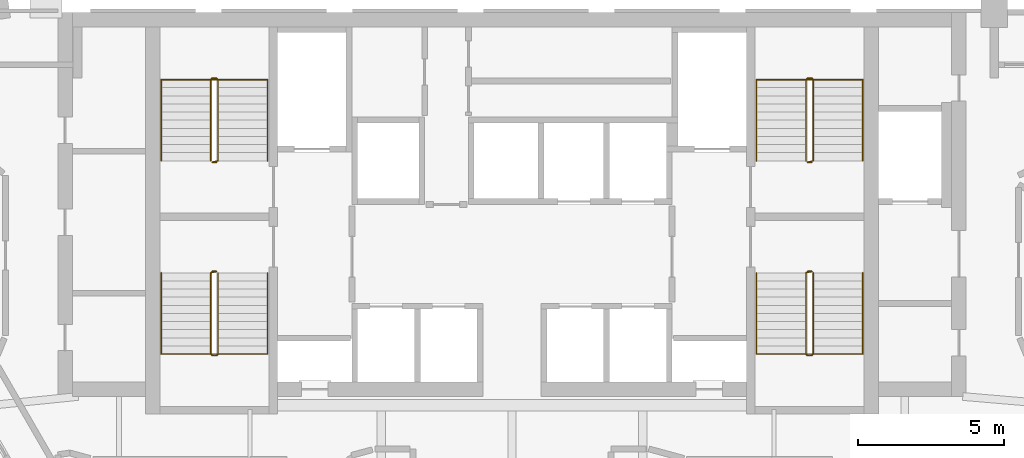
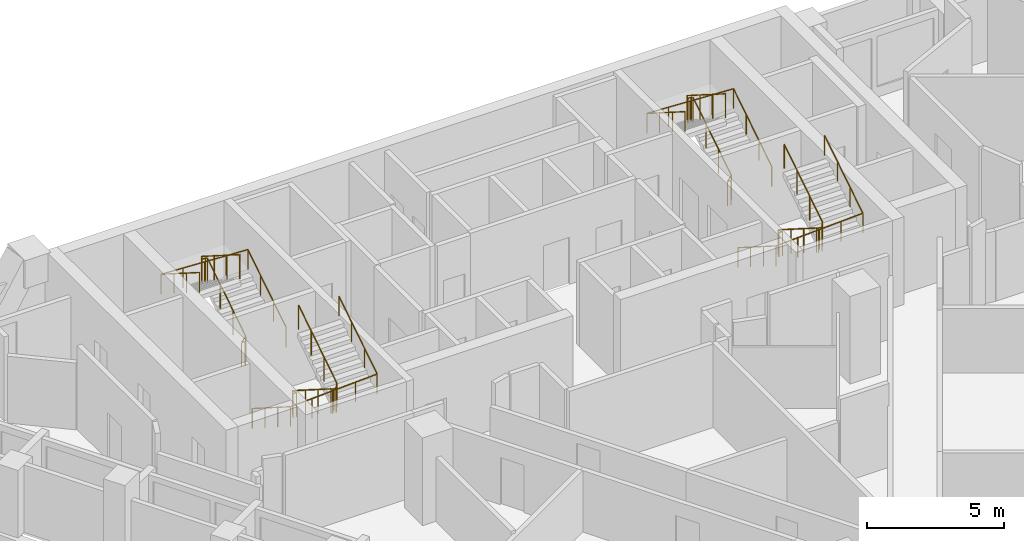
# One storey, part 10 of 10: 8 railings.
"""IFC4 building model written with IfcOpenShell, lengths in metres."""

from ifc_helpers import new_model, si_unit, direction, frame, origin, origin_2d, place, context, subcontext, project, spatial, circle, extrude, material, type_object, element, save


model = new_model("IFC4")

# Units and contexts
model_context = context("Model", 3, precision=1e-05, world=origin(), true_north=direction((0.0, 1.0)))
body_context = subcontext(model_context, "Body", "Model", "MODEL_VIEW")
ifc_project = project(units=[si_unit("LENGTHUNIT", "METRE"), si_unit("AREAUNIT", "SQUARE_METRE"), si_unit("VOLUMEUNIT", "CUBIC_METRE"), si_unit("PLANEANGLEUNIT", "RADIAN"), si_unit("MASSUNIT", "GRAM", prefix="KILO")], contexts=[model_context])

# Site, building, storey
site_placement = place(None, origin())
site = spatial("IfcSite", under=ifc_project, at=site_placement, CompositionType="ELEMENT")
building_placement = place(site_placement, origin())
building = spatial("IfcBuilding", under=site, at=building_placement, Name="Calabash Gate Tower", CompositionType="ELEMENT")
storey_placement = place(building_placement, frame((0.0, 0.0, 187.5)))
storey = spatial("IfcBuildingStorey", under=building, at=storey_placement, Name="L44", CompositionType="ELEMENT", Elevation=187.5)

# Railings
ifc_material_1 = material(Name="Black powder-coated steel balusters", Category="steel")
railing_type_1 = type_object("IfcRailingType", Name="Stair guard RL1100", PredefinedType="GUARDRAIL", material=ifc_material_1)
railing_1_placement = place(storey_placement, frame((-10.14990234375, 13.902587890625, 0.0)))
element("IfcRailing", 1, at=railing_1_placement, inside=storey, type_object=railing_type_1, Name="L44 ST1 stair guard 1", PredefinedType="GUARDRAIL", context=body_context, shape_type="SweptSolid", body=[
    extrude(circle(Radius=0.02392578125, at=origin_2d()), frame((0.0, 0.0, 1.076171875), z_axis=(-1.0, 0.0, 0.0), x_axis=(0.0, -1.0, 0.0)), (0.0, 0.0, 1.0), 0.150146484375),
    extrude(circle(Radius=0.02392578125, at=origin_2d()), frame((-0.150146484375, 0.0, 1.076171875), z_axis=(0.735524641326, 0.184105679453, 0.652003528208), x_axis=(-0.242814311512, 0.970072785993, 0.0)), (0.0, 0.0, 1.0), 0.271728515625),
    extrude(circle(Radius=0.02392578125, at=origin_2d()), frame((0.0498046875, 0.050048828125, 1.25341796875), z_axis=(0.0, 0.844041424197, 0.536277982245), x_axis=(-1.0, 0.0, 0.0)), (0.0, 0.0, 1.0), 3.3056640625),
    extrude(circle(Radius=0.02392578125, at=origin_2d()), frame((0.0498046875, 2.840087890625, 3.02587890625), z_axis=(-0.707106781187, 0.707106781187, 0.0), x_axis=(-0.707106781187, -0.707106781187, 0.0)), (0.0, 0.0, 1.0), 0.0703125),
    extrude(circle(Radius=0.02392578125, at=origin_2d()), frame((0.0, 2.889892578125, 3.02587890625), z_axis=(-1.0, 0.0, 0.0), x_axis=(0.0, -1.0, 0.0)), (0.0, 0.0, 1.0), 0.150146484375),
    extrude(circle(Radius=0.02392578125, at=origin_2d()), frame((-0.150146484375, 2.889892578125, 3.02587890625), z_axis=(-0.262321481514, -0.261041864531, 0.929001929653), x_axis=(0.705375805398, -0.708833529934, 0.0)), (0.0, 0.0, 1.0), 0.190673828125),
    extrude(circle(Radius=0.02392578125, at=origin_2d()), frame((-0.2001953125, 2.840087890625, 3.203125), z_axis=(0.0, -0.844041424197, 0.536277982245), x_axis=(1.0, 0.0, 0.0)), (0.0, 0.0, 1.0), 3.3056640625),
    extrude(circle(Radius=0.02099609375, at=origin_2d()), origin(), (0.0, 0.0, 1.0), 1.052001953125),
    extrude(circle(Radius=0.02099609375, at=origin_2d()), frame((-0.150146484375, 0.0, 0.0)), (0.0, 0.0, 1.0), 1.052001953125),
    extrude(circle(Radius=0.02099609375, at=origin_2d()), frame((0.0498046875, 0.050048828125, 0.17724609375)), (0.0, 0.0, 1.0), 1.052001953125),
    extrude(circle(Radius=0.02099609375, at=origin_2d()), frame((0.0498046875, 0.97998046875, 0.76806640625)), (0.0, 0.0, 1.0), 1.052001953125),
    extrude(circle(Radius=0.02099609375, at=origin_2d()), frame((0.0498046875, 1.91015625, 1.359130859375)), (0.0, 0.0, 1.0), 1.052001953125),
    extrude(circle(Radius=0.02099609375, at=origin_2d()), frame((0.0498046875, 2.840087890625, 1.949951171875)), (0.0, 0.0, 1.0), 1.052001953125),
    extrude(circle(Radius=0.02099609375, at=origin_2d()), frame((0.0, 2.889892578125, 1.949951171875)), (0.0, 0.0, 1.0), 1.052001953125),
    extrude(circle(Radius=0.02099609375, at=origin_2d()), frame((-0.150146484375, 2.889892578125, 1.949951171875)), (0.0, 0.0, 1.0), 1.052001953125),
    extrude(circle(Radius=0.02099609375, at=origin_2d()), frame((-0.2001953125, 2.840087890625, 2.127197265625)), (0.0, 0.0, 1.0), 1.052001953125),
    extrude(circle(Radius=0.02099609375, at=origin_2d()), frame((-0.2001953125, 1.91015625, 2.718017578125)), (0.0, 0.0, 1.0), 1.052001953125),
    extrude(circle(Radius=0.02099609375, at=origin_2d()), frame((-0.2001953125, 0.97998046875, 3.30908203125)), (0.0, 0.0, 1.0), 1.052001953125),
    extrude(circle(Radius=0.02099609375, at=origin_2d()), frame((-0.2001953125, 0.050048828125, 3.89990234375)), (0.0, 0.0, 1.0), 1.052001953125),
])
railing_2_placement = place(storey_placement, frame((-10.300048828125, 10.152587890625, 0.0)))
element("IfcRailing", 2, at=railing_2_placement, inside=storey, type_object=railing_type_1, Name="L44 ST2 stair guard 1", PredefinedType="GUARDRAIL", context=body_context, shape_type="SweptSolid", body=[
    extrude(circle(Radius=0.02392578125, at=origin_2d()), frame((0.0, 0.0, 1.076171875), z_axis=(1.0, 0.0, 0.0), x_axis=(0.0, 1.0, 0.0)), (0.0, 0.0, 1.0), 0.150146484375),
    extrude(circle(Radius=0.02392578125, at=origin_2d()), frame((0.150146484375, 0.0, 1.076171875), z_axis=(-0.735936453418, -0.183984113355, 0.651573006319), x_axis=(0.242535625036, -0.970142500145, 0.0)), (0.0, 0.0, 1.0), 0.27197265625),
    extrude(circle(Radius=0.02392578125, at=origin_2d()), frame((-0.050048828125, -0.050048828125, 1.25341796875), z_axis=(0.0, -0.844041424197, 0.536277982245), x_axis=(1.0, 0.0, 0.0)), (0.0, 0.0, 1.0), 3.3056640625),
    extrude(circle(Radius=0.02392578125, at=origin_2d()), frame((-0.050048828125, -2.840087890625, 3.02587890625), z_axis=(0.708833529934, -0.705375805398, 0.0), x_axis=(0.705375805398, 0.708833529934, 0.0)), (0.0, 0.0, 1.0), 0.070556640625),
    extrude(circle(Radius=0.02392578125, at=origin_2d()), frame((0.0, -2.889892578125, 3.02587890625), z_axis=(1.0, 0.0, 0.0), x_axis=(0.0, 1.0, 0.0)), (0.0, 0.0, 1.0), 0.150146484375),
    extrude(circle(Radius=0.02392578125, at=origin_2d()), frame((0.150146484375, -2.889892578125, 3.02587890625), z_axis=(0.261129318932, 0.261129318932, 0.929313164433), x_axis=(-0.707106781187, 0.707106781187, 0.0)), (0.0, 0.0, 1.0), 0.190673828125),
    extrude(circle(Radius=0.02392578125, at=origin_2d()), frame((0.199951171875, -2.840087890625, 3.203125), z_axis=(0.0, 0.844041424197, 0.536277982245), x_axis=(-1.0, 0.0, 0.0)), (0.0, 0.0, 1.0), 3.3056640625),
    extrude(circle(Radius=0.02099609375, at=origin_2d()), origin(), (0.0, 0.0, 1.0), 1.052001953125),
    extrude(circle(Radius=0.02099609375, at=origin_2d()), frame((0.150146484375, 0.0, 0.0)), (0.0, 0.0, 1.0), 1.052001953125),
    extrude(circle(Radius=0.02099609375, at=origin_2d()), frame((-0.050048828125, -0.050048828125, 0.17724609375)), (0.0, 0.0, 1.0), 1.052001953125),
    extrude(circle(Radius=0.02099609375, at=origin_2d()), frame((-0.050048828125, -0.97998046875, 0.76806640625)), (0.0, 0.0, 1.0), 1.052001953125),
    extrude(circle(Radius=0.02099609375, at=origin_2d()), frame((-0.050048828125, -1.91015625, 1.359130859375)), (0.0, 0.0, 1.0), 1.052001953125),
    extrude(circle(Radius=0.02099609375, at=origin_2d()), frame((-0.050048828125, -2.840087890625, 1.949951171875)), (0.0, 0.0, 1.0), 1.052001953125),
    extrude(circle(Radius=0.02099609375, at=origin_2d()), frame((0.0, -2.889892578125, 1.949951171875)), (0.0, 0.0, 1.0), 1.052001953125),
    extrude(circle(Radius=0.02099609375, at=origin_2d()), frame((0.150146484375, -2.889892578125, 1.949951171875)), (0.0, 0.0, 1.0), 1.052001953125),
    extrude(circle(Radius=0.02099609375, at=origin_2d()), frame((0.199951171875, -2.840087890625, 2.127197265625)), (0.0, 0.0, 1.0), 1.052001953125),
    extrude(circle(Radius=0.02099609375, at=origin_2d()), frame((0.199951171875, -1.91015625, 2.718017578125)), (0.0, 0.0, 1.0), 1.052001953125),
    extrude(circle(Radius=0.02099609375, at=origin_2d()), frame((0.199951171875, -0.97998046875, 3.30908203125)), (0.0, 0.0, 1.0), 1.052001953125),
    extrude(circle(Radius=0.02099609375, at=origin_2d()), frame((0.199951171875, -0.050048828125, 3.89990234375)), (0.0, 0.0, 1.0), 1.052001953125),
])
railing_3_placement = place(storey_placement, frame((10.300048828125, 13.902587890625, 0.0)))
element("IfcRailing", 3, at=railing_3_placement, inside=storey, type_object=railing_type_1, Name="L44 ST3 stair guard 1", PredefinedType="GUARDRAIL", context=body_context, shape_type="SweptSolid", body=[
    extrude(circle(Radius=0.02392578125, at=origin_2d()), frame((0.0, 0.0, 1.076171875), z_axis=(-1.0, 0.0, 0.0), x_axis=(0.0, -1.0, 0.0)), (0.0, 0.0, 1.0), 0.150146484375),
    extrude(circle(Radius=0.02392578125, at=origin_2d()), frame((-0.150146484375, 0.0, 1.076171875), z_axis=(0.735936453418, 0.183984113355, 0.651573006319), x_axis=(-0.242535625036, 0.970142500145, 0.0)), (0.0, 0.0, 1.0), 0.27197265625),
    extrude(circle(Radius=0.02392578125, at=origin_2d()), frame((0.050048828125, 0.050048828125, 1.25341796875), z_axis=(0.0, 0.844041424197, 0.536277982245), x_axis=(-1.0, 0.0, 0.0)), (0.0, 0.0, 1.0), 3.3056640625),
    extrude(circle(Radius=0.02392578125, at=origin_2d()), frame((0.050048828125, 2.840087890625, 3.02587890625), z_axis=(-0.708833529934, 0.705375805398, 0.0), x_axis=(-0.705375805398, -0.708833529934, 0.0)), (0.0, 0.0, 1.0), 0.070556640625),
    extrude(circle(Radius=0.02392578125, at=origin_2d()), frame((0.0, 2.889892578125, 3.02587890625), z_axis=(-1.0, 0.0, 0.0), x_axis=(0.0, -1.0, 0.0)), (0.0, 0.0, 1.0), 0.150146484375),
    extrude(circle(Radius=0.02392578125, at=origin_2d()), frame((-0.150146484375, 2.889892578125, 3.02587890625), z_axis=(-0.261129318932, -0.261129318932, 0.929313164433), x_axis=(0.707106781187, -0.707106781187, 0.0)), (0.0, 0.0, 1.0), 0.190673828125),
    extrude(circle(Radius=0.02392578125, at=origin_2d()), frame((-0.199951171875, 2.840087890625, 3.203125), z_axis=(0.0, -0.844041424197, 0.536277982245), x_axis=(1.0, 0.0, 0.0)), (0.0, 0.0, 1.0), 3.3056640625),
    extrude(circle(Radius=0.02099609375, at=origin_2d()), origin(), (0.0, 0.0, 1.0), 1.052001953125),
    extrude(circle(Radius=0.02099609375, at=origin_2d()), frame((-0.150146484375, 0.0, 0.0)), (0.0, 0.0, 1.0), 1.052001953125),
    extrude(circle(Radius=0.02099609375, at=origin_2d()), frame((0.050048828125, 0.050048828125, 0.17724609375)), (0.0, 0.0, 1.0), 1.052001953125),
    extrude(circle(Radius=0.02099609375, at=origin_2d()), frame((0.050048828125, 0.97998046875, 0.76806640625)), (0.0, 0.0, 1.0), 1.052001953125),
    extrude(circle(Radius=0.02099609375, at=origin_2d()), frame((0.050048828125, 1.91015625, 1.359130859375)), (0.0, 0.0, 1.0), 1.052001953125),
    extrude(circle(Radius=0.02099609375, at=origin_2d()), frame((0.050048828125, 2.840087890625, 1.949951171875)), (0.0, 0.0, 1.0), 1.052001953125),
    extrude(circle(Radius=0.02099609375, at=origin_2d()), frame((0.0, 2.889892578125, 1.949951171875)), (0.0, 0.0, 1.0), 1.052001953125),
    extrude(circle(Radius=0.02099609375, at=origin_2d()), frame((-0.150146484375, 2.889892578125, 1.949951171875)), (0.0, 0.0, 1.0), 1.052001953125),
    extrude(circle(Radius=0.02099609375, at=origin_2d()), frame((-0.199951171875, 2.840087890625, 2.127197265625)), (0.0, 0.0, 1.0), 1.052001953125),
    extrude(circle(Radius=0.02099609375, at=origin_2d()), frame((-0.199951171875, 1.91015625, 2.718017578125)), (0.0, 0.0, 1.0), 1.052001953125),
    extrude(circle(Radius=0.02099609375, at=origin_2d()), frame((-0.199951171875, 0.97998046875, 3.30908203125)), (0.0, 0.0, 1.0), 1.052001953125),
    extrude(circle(Radius=0.02099609375, at=origin_2d()), frame((-0.199951171875, 0.050048828125, 3.89990234375)), (0.0, 0.0, 1.0), 1.052001953125),
])
railing_4_placement = place(storey_placement, frame((10.14990234375, 10.152587890625, 0.0)))
element("IfcRailing", 4, at=railing_4_placement, inside=storey, type_object=railing_type_1, Name="L44 ST4 stair guard 1", PredefinedType="GUARDRAIL", context=body_context, shape_type="SweptSolid", body=[
    extrude(circle(Radius=0.02392578125, at=origin_2d()), frame((0.0, 0.0, 1.076171875), z_axis=(1.0, 0.0, 0.0), x_axis=(0.0, 1.0, 0.0)), (0.0, 0.0, 1.0), 0.150146484375),
    extrude(circle(Radius=0.02392578125, at=origin_2d()), frame((0.150146484375, 0.0, 1.076171875), z_axis=(-0.735524641326, -0.184105679453, 0.652003528208), x_axis=(0.242814311512, -0.970072785993, 0.0)), (0.0, 0.0, 1.0), 0.271728515625),
    extrude(circle(Radius=0.02392578125, at=origin_2d()), frame((-0.0498046875, -0.050048828125, 1.25341796875), z_axis=(0.0, -0.844041424197, 0.536277982245), x_axis=(1.0, 0.0, 0.0)), (0.0, 0.0, 1.0), 3.3056640625),
    extrude(circle(Radius=0.02392578125, at=origin_2d()), frame((-0.0498046875, -2.840087890625, 3.02587890625), z_axis=(0.707106781187, -0.707106781187, 0.0), x_axis=(0.707106781187, 0.707106781187, 0.0)), (0.0, 0.0, 1.0), 0.0703125),
    extrude(circle(Radius=0.02392578125, at=origin_2d()), frame((0.0, -2.889892578125, 3.02587890625), z_axis=(1.0, 0.0, 0.0), x_axis=(0.0, 1.0, 0.0)), (0.0, 0.0, 1.0), 0.150146484375),
    extrude(circle(Radius=0.02392578125, at=origin_2d()), frame((0.150146484375, -2.889892578125, 3.02587890625), z_axis=(0.262321481514, 0.261041864531, 0.929001929653), x_axis=(-0.705375805398, 0.708833529934, 0.0)), (0.0, 0.0, 1.0), 0.190673828125),
    extrude(circle(Radius=0.02392578125, at=origin_2d()), frame((0.2001953125, -2.840087890625, 3.203125), z_axis=(0.0, 0.844041424197, 0.536277982245), x_axis=(-1.0, 0.0, 0.0)), (0.0, 0.0, 1.0), 3.3056640625),
    extrude(circle(Radius=0.02099609375, at=origin_2d()), origin(), (0.0, 0.0, 1.0), 1.052001953125),
    extrude(circle(Radius=0.02099609375, at=origin_2d()), frame((0.150146484375, 0.0, 0.0)), (0.0, 0.0, 1.0), 1.052001953125),
    extrude(circle(Radius=0.02099609375, at=origin_2d()), frame((-0.0498046875, -0.050048828125, 0.17724609375)), (0.0, 0.0, 1.0), 1.052001953125),
    extrude(circle(Radius=0.02099609375, at=origin_2d()), frame((-0.0498046875, -0.97998046875, 0.76806640625)), (0.0, 0.0, 1.0), 1.052001953125),
    extrude(circle(Radius=0.02099609375, at=origin_2d()), frame((-0.0498046875, -1.91015625, 1.359130859375)), (0.0, 0.0, 1.0), 1.052001953125),
    extrude(circle(Radius=0.02099609375, at=origin_2d()), frame((-0.0498046875, -2.840087890625, 1.949951171875)), (0.0, 0.0, 1.0), 1.052001953125),
    extrude(circle(Radius=0.02099609375, at=origin_2d()), frame((0.0, -2.889892578125, 1.949951171875)), (0.0, 0.0, 1.0), 1.052001953125),
    extrude(circle(Radius=0.02099609375, at=origin_2d()), frame((0.150146484375, -2.889892578125, 1.949951171875)), (0.0, 0.0, 1.0), 1.052001953125),
    extrude(circle(Radius=0.02099609375, at=origin_2d()), frame((0.2001953125, -2.840087890625, 2.127197265625)), (0.0, 0.0, 1.0), 1.052001953125),
    extrude(circle(Radius=0.02099609375, at=origin_2d()), frame((0.2001953125, -1.91015625, 2.718017578125)), (0.0, 0.0, 1.0), 1.052001953125),
    extrude(circle(Radius=0.02099609375, at=origin_2d()), frame((0.2001953125, -0.97998046875, 3.30908203125)), (0.0, 0.0, 1.0), 1.052001953125),
    extrude(circle(Radius=0.02099609375, at=origin_2d()), frame((0.2001953125, -0.050048828125, 3.89990234375)), (0.0, 0.0, 1.0), 1.052001953125),
])
ifc_material_2 = material(Name="Black powder-coated steel tube 48 mm", Category="steel")
railing_type_2 = type_object("IfcRailingType", Name="Stair handrail RL900", PredefinedType="HANDRAIL", material=ifc_material_2)
railing_5_placement = place(storey_placement, frame((-8.39990234375, 13.95263671875, 0.17724609375)))
element("IfcRailing", 5, at=railing_5_placement, inside=storey, type_object=railing_type_2, Name="L44 ST1 stair handrail 1", PredefinedType="HANDRAIL", context=body_context, shape_type="SweptSolid", body=[
    extrude(circle(Radius=0.02392578125, at=origin_2d()), frame((0.0, 0.0, 0.8759765625), z_axis=(0.0, 0.844041424197, 0.536277982245), x_axis=(-1.0, 0.0, 0.0)), (0.0, 0.0, 1.0), 3.3056640625),
    extrude(circle(Radius=0.02392578125, at=origin_2d()), frame((0.0, 2.7900390625, 2.6484375), z_axis=(-0.998823110844, 0.0, 0.048501476722), x_axis=(0.0, -1.0, 0.0)), (0.0, 0.0, 1.0), 3.654541015625),
    extrude(circle(Radius=0.02392578125, at=origin_2d()), frame((-3.650146484375, 2.7900390625, 2.82568359375), z_axis=(0.0, -0.844041424197, 0.536277982245), x_axis=(1.0, 0.0, 0.0)), (0.0, 0.0, 1.0), 3.3056640625),
    extrude(circle(Radius=0.02099609375, at=origin_2d()), origin(), (0.0, 0.0, 1.0), 0.851806640625),
    extrude(circle(Radius=0.02099609375, at=origin_2d()), frame((0.0, 0.929931640625, 0.5908203125)), (0.0, 0.0, 1.0), 0.851806640625),
    extrude(circle(Radius=0.02099609375, at=origin_2d()), frame((0.0, 1.860107421875, 1.181884765625)), (0.0, 0.0, 1.0), 0.851806640625),
    extrude(circle(Radius=0.02099609375, at=origin_2d()), frame((0.0, 2.7900390625, 1.772705078125)), (0.0, 0.0, 1.0), 0.851806640625),
    extrude(circle(Radius=0.02099609375, at=origin_2d()), frame((-0.91259765625, 2.7900390625, 1.81689453125)), (0.0, 0.0, 1.0), 0.851806640625),
    extrude(circle(Radius=0.02099609375, at=origin_2d()), frame((-1.8251953125, 2.7900390625, 1.861328125)), (0.0, 0.0, 1.0), 0.851806640625),
    extrude(circle(Radius=0.02099609375, at=origin_2d()), frame((-2.737548828125, 2.7900390625, 1.90576171875)), (0.0, 0.0, 1.0), 0.851806640625),
    extrude(circle(Radius=0.02099609375, at=origin_2d()), frame((-3.650146484375, 2.7900390625, 1.949951171875)), (0.0, 0.0, 1.0), 0.851806640625),
    extrude(circle(Radius=0.02099609375, at=origin_2d()), frame((-3.650146484375, 1.860107421875, 2.540771484375)), (0.0, 0.0, 1.0), 0.851806640625),
    extrude(circle(Radius=0.02099609375, at=origin_2d()), frame((-3.650146484375, 0.929931640625, 3.1318359375)), (0.0, 0.0, 1.0), 0.851806640625),
    extrude(circle(Radius=0.02099609375, at=origin_2d()), frame((-3.650146484375, 0.0, 3.72265625)), (0.0, 0.0, 1.0), 0.851806640625),
])
railing_6_placement = place(storey_placement, frame((-12.050048828125, 10.1025390625, 0.17724609375)))
element("IfcRailing", 6, at=railing_6_placement, inside=storey, type_object=railing_type_2, Name="L44 ST2 stair handrail 1", PredefinedType="HANDRAIL", context=body_context, shape_type="SweptSolid", body=[
    extrude(circle(Radius=0.02392578125, at=origin_2d()), frame((0.0, 0.0, 0.8759765625), z_axis=(0.0, -0.844041424197, 0.536277982245), x_axis=(1.0, 0.0, 0.0)), (0.0, 0.0, 1.0), 3.3056640625),
    extrude(circle(Radius=0.02392578125, at=origin_2d()), frame((0.0, -2.7900390625, 2.6484375), z_axis=(0.998823110844, 0.0, 0.048501476722), x_axis=(0.0, 1.0, 0.0)), (0.0, 0.0, 1.0), 3.654541015625),
    extrude(circle(Radius=0.02392578125, at=origin_2d()), frame((3.650146484375, -2.7900390625, 2.82568359375), z_axis=(0.0, 0.844041424197, 0.536277982245), x_axis=(-1.0, 0.0, 0.0)), (0.0, 0.0, 1.0), 3.3056640625),
    extrude(circle(Radius=0.02099609375, at=origin_2d()), origin(), (0.0, 0.0, 1.0), 0.851806640625),
    extrude(circle(Radius=0.02099609375, at=origin_2d()), frame((0.0, -0.929931640625, 0.5908203125)), (0.0, 0.0, 1.0), 0.851806640625),
    extrude(circle(Radius=0.02099609375, at=origin_2d()), frame((0.0, -1.860107421875, 1.181884765625)), (0.0, 0.0, 1.0), 0.851806640625),
    extrude(circle(Radius=0.02099609375, at=origin_2d()), frame((0.0, -2.7900390625, 1.772705078125)), (0.0, 0.0, 1.0), 0.851806640625),
    extrude(circle(Radius=0.02099609375, at=origin_2d()), frame((0.91259765625, -2.7900390625, 1.81689453125)), (0.0, 0.0, 1.0), 0.851806640625),
    extrude(circle(Radius=0.02099609375, at=origin_2d()), frame((1.8251953125, -2.7900390625, 1.861328125)), (0.0, 0.0, 1.0), 0.851806640625),
    extrude(circle(Radius=0.02099609375, at=origin_2d()), frame((2.737548828125, -2.7900390625, 1.90576171875)), (0.0, 0.0, 1.0), 0.851806640625),
    extrude(circle(Radius=0.02099609375, at=origin_2d()), frame((3.650146484375, -2.7900390625, 1.949951171875)), (0.0, 0.0, 1.0), 0.851806640625),
    extrude(circle(Radius=0.02099609375, at=origin_2d()), frame((3.650146484375, -1.860107421875, 2.540771484375)), (0.0, 0.0, 1.0), 0.851806640625),
    extrude(circle(Radius=0.02099609375, at=origin_2d()), frame((3.650146484375, -0.929931640625, 3.1318359375)), (0.0, 0.0, 1.0), 0.851806640625),
    extrude(circle(Radius=0.02099609375, at=origin_2d()), frame((3.650146484375, 0.0, 3.72265625)), (0.0, 0.0, 1.0), 0.851806640625),
])
railing_7_placement = place(storey_placement, frame((12.050048828125, 13.95263671875, 0.17724609375)))
element("IfcRailing", 7, at=railing_7_placement, inside=storey, type_object=railing_type_2, Name="L44 ST3 stair handrail 1", PredefinedType="HANDRAIL", context=body_context, shape_type="SweptSolid", body=[
    extrude(circle(Radius=0.02392578125, at=origin_2d()), frame((0.0, 0.0, 0.8759765625), z_axis=(0.0, 0.844041424197, 0.536277982245), x_axis=(-1.0, 0.0, 0.0)), (0.0, 0.0, 1.0), 3.3056640625),
    extrude(circle(Radius=0.02392578125, at=origin_2d()), frame((0.0, 2.7900390625, 2.6484375), z_axis=(-0.998823110844, 0.0, 0.048501476722), x_axis=(0.0, -1.0, 0.0)), (0.0, 0.0, 1.0), 3.654541015625),
    extrude(circle(Radius=0.02392578125, at=origin_2d()), frame((-3.650146484375, 2.7900390625, 2.82568359375), z_axis=(0.0, -0.844041424197, 0.536277982245), x_axis=(1.0, 0.0, 0.0)), (0.0, 0.0, 1.0), 3.3056640625),
    extrude(circle(Radius=0.02099609375, at=origin_2d()), origin(), (0.0, 0.0, 1.0), 0.851806640625),
    extrude(circle(Radius=0.02099609375, at=origin_2d()), frame((0.0, 0.929931640625, 0.5908203125)), (0.0, 0.0, 1.0), 0.851806640625),
    extrude(circle(Radius=0.02099609375, at=origin_2d()), frame((0.0, 1.860107421875, 1.181884765625)), (0.0, 0.0, 1.0), 0.851806640625),
    extrude(circle(Radius=0.02099609375, at=origin_2d()), frame((0.0, 2.7900390625, 1.772705078125)), (0.0, 0.0, 1.0), 0.851806640625),
    extrude(circle(Radius=0.02099609375, at=origin_2d()), frame((-0.91259765625, 2.7900390625, 1.81689453125)), (0.0, 0.0, 1.0), 0.851806640625),
    extrude(circle(Radius=0.02099609375, at=origin_2d()), frame((-1.8251953125, 2.7900390625, 1.861328125)), (0.0, 0.0, 1.0), 0.851806640625),
    extrude(circle(Radius=0.02099609375, at=origin_2d()), frame((-2.737548828125, 2.7900390625, 1.90576171875)), (0.0, 0.0, 1.0), 0.851806640625),
    extrude(circle(Radius=0.02099609375, at=origin_2d()), frame((-3.650146484375, 2.7900390625, 1.949951171875)), (0.0, 0.0, 1.0), 0.851806640625),
    extrude(circle(Radius=0.02099609375, at=origin_2d()), frame((-3.650146484375, 1.860107421875, 2.540771484375)), (0.0, 0.0, 1.0), 0.851806640625),
    extrude(circle(Radius=0.02099609375, at=origin_2d()), frame((-3.650146484375, 0.929931640625, 3.1318359375)), (0.0, 0.0, 1.0), 0.851806640625),
    extrude(circle(Radius=0.02099609375, at=origin_2d()), frame((-3.650146484375, 0.0, 3.72265625)), (0.0, 0.0, 1.0), 0.851806640625),
])
railing_8_placement = place(storey_placement, frame((8.39990234375, 10.1025390625, 0.17724609375)))
element("IfcRailing", 8, at=railing_8_placement, inside=storey, type_object=railing_type_2, Name="L44 ST4 stair handrail 1", PredefinedType="HANDRAIL", context=body_context, shape_type="SweptSolid", body=[
    extrude(circle(Radius=0.02392578125, at=origin_2d()), frame((0.0, 0.0, 0.8759765625), z_axis=(0.0, -0.844041424197, 0.536277982245), x_axis=(1.0, 0.0, 0.0)), (0.0, 0.0, 1.0), 3.3056640625),
    extrude(circle(Radius=0.02392578125, at=origin_2d()), frame((0.0, -2.7900390625, 2.6484375), z_axis=(0.998823110844, 0.0, 0.048501476722), x_axis=(0.0, 1.0, 0.0)), (0.0, 0.0, 1.0), 3.654541015625),
    extrude(circle(Radius=0.02392578125, at=origin_2d()), frame((3.650146484375, -2.7900390625, 2.82568359375), z_axis=(0.0, 0.844041424197, 0.536277982245), x_axis=(-1.0, 0.0, 0.0)), (0.0, 0.0, 1.0), 3.3056640625),
    extrude(circle(Radius=0.02099609375, at=origin_2d()), origin(), (0.0, 0.0, 1.0), 0.851806640625),
    extrude(circle(Radius=0.02099609375, at=origin_2d()), frame((0.0, -0.929931640625, 0.5908203125)), (0.0, 0.0, 1.0), 0.851806640625),
    extrude(circle(Radius=0.02099609375, at=origin_2d()), frame((0.0, -1.860107421875, 1.181884765625)), (0.0, 0.0, 1.0), 0.851806640625),
    extrude(circle(Radius=0.02099609375, at=origin_2d()), frame((0.0, -2.7900390625, 1.772705078125)), (0.0, 0.0, 1.0), 0.851806640625),
    extrude(circle(Radius=0.02099609375, at=origin_2d()), frame((0.91259765625, -2.7900390625, 1.81689453125)), (0.0, 0.0, 1.0), 0.851806640625),
    extrude(circle(Radius=0.02099609375, at=origin_2d()), frame((1.8251953125, -2.7900390625, 1.861328125)), (0.0, 0.0, 1.0), 0.851806640625),
    extrude(circle(Radius=0.02099609375, at=origin_2d()), frame((2.737548828125, -2.7900390625, 1.90576171875)), (0.0, 0.0, 1.0), 0.851806640625),
    extrude(circle(Radius=0.02099609375, at=origin_2d()), frame((3.650146484375, -2.7900390625, 1.949951171875)), (0.0, 0.0, 1.0), 0.851806640625),
    extrude(circle(Radius=0.02099609375, at=origin_2d()), frame((3.650146484375, -1.860107421875, 2.540771484375)), (0.0, 0.0, 1.0), 0.851806640625),
    extrude(circle(Radius=0.02099609375, at=origin_2d()), frame((3.650146484375, -0.929931640625, 3.1318359375)), (0.0, 0.0, 1.0), 0.851806640625),
    extrude(circle(Radius=0.02099609375, at=origin_2d()), frame((3.650146484375, 0.0, 3.72265625)), (0.0, 0.0, 1.0), 0.851806640625),
])

save(model, "model.ifc")
